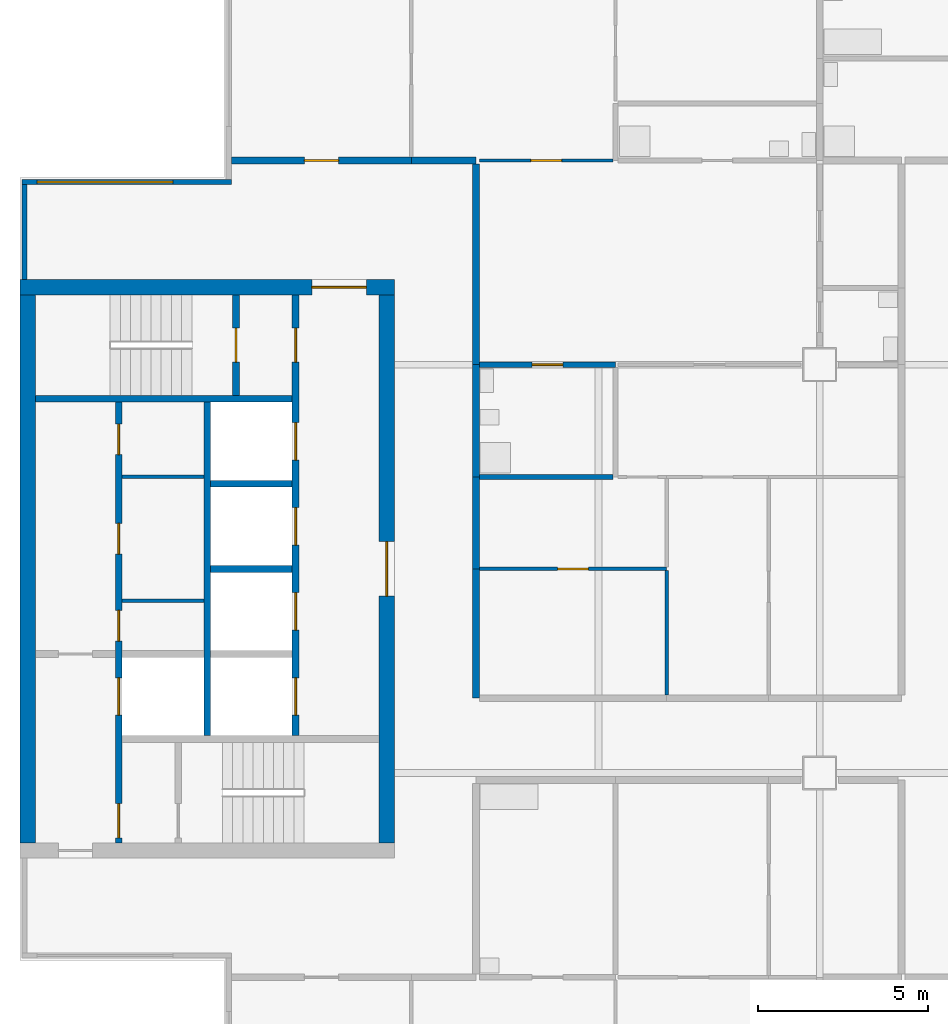
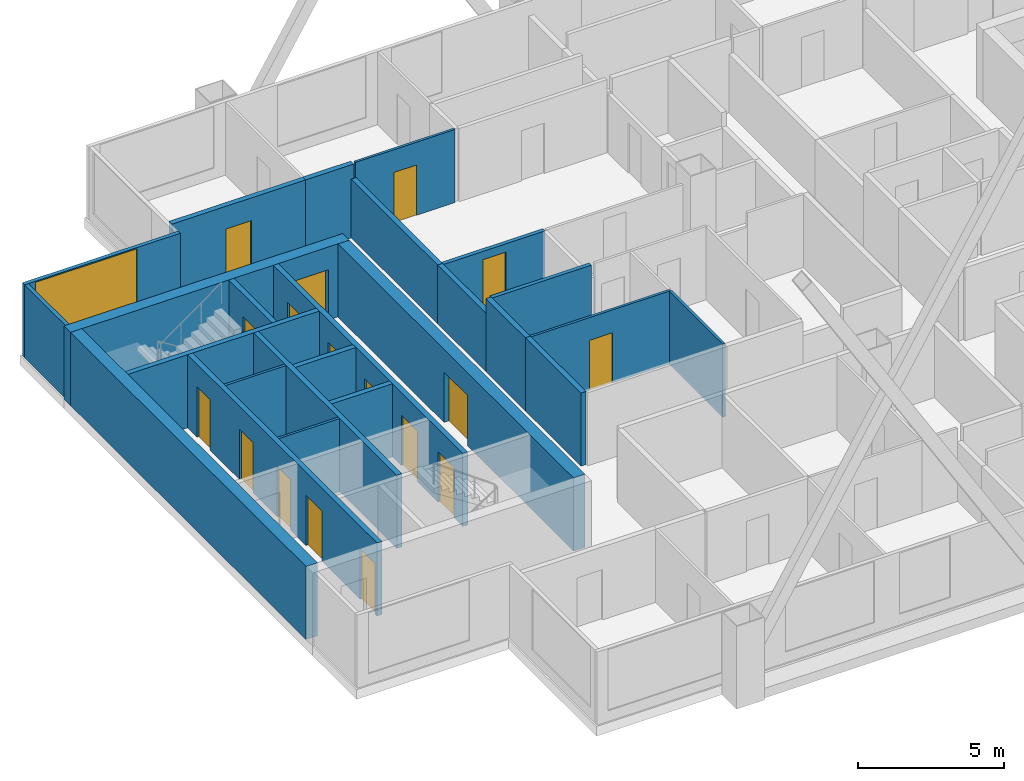
# One storey, part 3 of 9: 25 walls, 17 doors, 1 window, 18 openings.
"""IFC4 building model written with IfcOpenShell, lengths in metres."""

from ifc_helpers import new_model, si_unit, direction, frame, frame_2d, origin, place, context, subcontext, project, spatial, rectangle, extrude, material, layer, layer_set, type_object, element, fill, save


model = new_model("IFC4")

# Units and contexts
model_context = context("Model", 3, precision=1e-05, world=origin(), true_north=direction((0.0, 1.0)))
body_context = subcontext(model_context, "Body", "Model", "MODEL_VIEW")
ifc_project = project(units=[si_unit("LENGTHUNIT", "METRE"), si_unit("AREAUNIT", "SQUARE_METRE"), si_unit("VOLUMEUNIT", "CUBIC_METRE"), si_unit("PLANEANGLEUNIT", "RADIAN"), si_unit("MASSUNIT", "GRAM", prefix="KILO")], contexts=[model_context])

# Site, building, storey
site_placement = place(None, origin())
site = spatial("IfcSite", under=ifc_project, at=site_placement, CompositionType="ELEMENT")
building_placement = place(site_placement, origin())
building = spatial("IfcBuilding", under=site, at=building_placement, Name="Kitamizu Gate Tower and Museum", CompositionType="ELEMENT")
storey_placement = place(building_placement, frame((0.0, 0.0, 217.949951171875)))
storey = spatial("IfcBuildingStorey", under=building, at=storey_placement, Name="L58", CompositionType="ELEMENT", Elevation=217.949951171875)

# Wall, opening, door
ifc_material_1 = material(Name="Concrete Fc42", Category="concrete")
ifc_layer_1 = layer(ifc_material_1, 0.449951171875)
ifc_layer_set_1 = layer_set([ifc_layer_1], Name="Concrete Fc42")
wall_type_1 = type_object("IfcWallType", Name="Core wall 450", PredefinedType="SHEAR", material=ifc_layer_set_1)
wall_1_placement = place(storey_placement, frame((12.5, 38.27490234375, 0.0), z_axis=(0.0, 0.0, 1.0), x_axis=(1.0, 0.0, 0.0)))
wall_1 = element("IfcWall", 1, at=wall_1_placement, inside=storey, type_object=wall_type_1, Name="Core wall WN", PredefinedType="SHEAR", context=body_context, shape_type="SweptSolid", body=[
    extrude(rectangle(XDim=11.0, YDim=0.449951171875, at=frame_2d((5.5, 0.0))), origin(), (0.0, 0.0, 1.0), 3.050048828125),
])
opening_1_placement = place(wall_1_placement, frame((8.574951171875, 0.0, 0.0)))
opening_1 = element("IfcOpeningElement", 2, at=opening_1_placement, cuts=wall_1, Name="Opening L58-040", PredefinedType="OPENING", context=body_context, shape_type="SweptSolid", body=[
    extrude(rectangle(XDim=1.60009765625, YDim=2.10009765625, at=frame_2d((0.800048828125, 1.050048828125))), frame((0.0, 0.23486328125, 0.0), z_axis=(0.0, -1.0, 0.0), x_axis=(1.0, 0.0, 0.0)), (0.0, 0.0, 1.0), 0.469970703125),
])
ifc_material_2 = material(Name="Timber door set", Category="wood")
door_type_1 = type_object("IfcDoorType", Name="Entrance door 1600", OperationType="DOUBLE_DOOR_SINGLE_SWING", PredefinedType="DOOR", material=ifc_material_2)
door_1_placement = place(opening_1_placement, origin())
door_1 = element("IfcDoor", 3, at=door_1_placement, inside=storey, type_object=door_type_1, Name="Lobby door L58-040", OperationType="DOUBLE_DOOR_SINGLE_SWING", OverallHeight=2.10009765625, OverallWidth=1.60009765625, PredefinedType="DOOR", context=body_context, shape_type="SweptSolid", body=[
    extrude(rectangle(XDim=1.60009765625, YDim=2.10009765625, at=frame_2d((0.800048828125, 1.050048828125))), frame((0.0, 0.02490234375, 0.0), z_axis=(0.0, -1.0, 0.0), x_axis=(1.0, 0.0, 0.0)), (0.0, 0.0, 1.0), 0.050048828125),
])
fill(opening_1, door_1)

# Wall
wall_2_placement = place(storey_placement, frame((12.72509765625, 21.949951171875, 0.0), z_axis=(0.0, 0.0, 1.0), x_axis=(0.0, 1.0, 0.0)))
element("IfcWall", 4, at=wall_2_placement, inside=storey, type_object=wall_type_1, Name="Core wall WOUT", PredefinedType="SHEAR", context=body_context, shape_type="SweptSolid", body=[
    extrude(rectangle(XDim=16.10009765625, YDim=0.449951171875, at=frame_2d((8.050048828125, 0.0))), origin(), (0.0, 0.0, 1.0), 3.050048828125),
])

# Wall, opening, door
wall_3_placement = place(storey_placement, frame((23.27490234375, 21.949951171875, 0.0), z_axis=(0.0, 0.0, 1.0), x_axis=(0.0, 1.0, 0.0)))
wall_3 = element("IfcWall", 5, at=wall_3_placement, inside=storey, type_object=wall_type_1, Name="Core wall WARC", PredefinedType="SHEAR", context=body_context, shape_type="SweptSolid", body=[
    extrude(rectangle(XDim=16.10009765625, YDim=0.449951171875, at=frame_2d((8.050048828125, 0.0))), origin(), (0.0, 0.0, 1.0), 3.050048828125),
])
opening_2_placement = place(wall_3_placement, frame((7.25, 0.0, 0.0)))
opening_2 = element("IfcOpeningElement", 6, at=opening_2_placement, cuts=wall_3, Name="Opening L58-041", PredefinedType="OPENING", context=body_context, shape_type="SweptSolid", body=[
    extrude(rectangle(XDim=1.60009765625, YDim=2.10009765625, at=frame_2d((0.800048828125, 1.050048828125))), frame((0.0, 0.23486328125, 0.0), z_axis=(0.0, -1.0, 0.0), x_axis=(1.0, 0.0, 0.0)), (0.0, 0.0, 1.0), 0.469970703125),
])
door_2_placement = place(opening_2_placement, origin())
door_2 = element("IfcDoor", 7, at=door_2_placement, inside=storey, type_object=door_type_1, Name="Lobby door L58-041", OperationType="DOUBLE_DOOR_SINGLE_SWING", OverallHeight=2.10009765625, OverallWidth=1.60009765625, PredefinedType="DOOR", context=body_context, shape_type="SweptSolid", body=[
    extrude(rectangle(XDim=1.60009765625, YDim=2.10009765625, at=frame_2d((0.800048828125, 1.050048828125))), frame((0.0, 0.02490234375, 0.0), z_axis=(0.0, -1.0, 0.0), x_axis=(1.0, 0.0, 0.0)), (0.0, 0.0, 1.0), 0.050048828125),
])
fill(opening_2, door_2)

# Walls
ifc_material_3 = material(Name="Gypsum board on galvanised stud")
ifc_layer_2 = layer(ifc_material_3, 0.10009765625)
ifc_layer_set_2 = layer_set([ifc_layer_2], Name="Gypsum board on galvanised stud")
wall_type_2 = type_object("IfcWallType", Name="Partition 100", PredefinedType="PARTITIONING", material=ifc_layer_set_2)
for number, where, z_axis, x_axis, name in (
    (8, (15.5, 29.06005859375, 0.0), (0.0, 0.0, 1.0), (1.0, 0.0, 0.0), "Partition WPF1"),
    (9, (15.5, 32.7099609375, 0.0), (0.0, 0.0, 1.0), (1.0, 0.0, 0.0), "Partition WPF2"),
):
    element("IfcWall", number, at=place(storey_placement, frame(where, z_axis=z_axis, x_axis=x_axis)), inside=storey, type_object=wall_type_2, Name=name, PredefinedType="PARTITIONING", context=body_context, shape_type="SweptSolid", body=[
        extrude(rectangle(XDim=2.39990234375, YDim=0.10009765625, at=frame_2d((1.199951171875, 0.0))), origin(), (0.0, 0.0, 1.0), 3.050048828125),
    ])

# Wall, opening, door
ifc_material_4 = material(Name="Gypsum board on galvanised stud")
ifc_layer_3 = layer(ifc_material_4, 0.10009765625)
ifc_layer_set_3 = layer_set([ifc_layer_3], Name="Gypsum board on galvanised stud")
wall_type_3 = type_object("IfcWallType", Name="Partition 100 NOT RATED", PredefinedType="PARTITIONING", material=ifc_layer_set_3)
wall_4_placement = place(storey_placement, frame((26.0, 42.0, 0.0), z_axis=(0.0, 0.0, 1.0), x_axis=(1.0, 0.0, 0.0)))
wall_4 = element("IfcWall", 10, at=wall_4_placement, inside=storey, type_object=wall_type_3, Name="Partition L58-035", PredefinedType="PARTITIONING", context=body_context, shape_type="SweptSolid", body=[
    extrude(rectangle(XDim=3.925048828125, YDim=0.10009765625, at=frame_2d((1.96240234375, 0.0))), origin(), (0.0, 0.0, 1.0), 3.050048828125),
])
opening_3_placement = place(wall_4_placement, frame((1.512451171875, 0.0, 0.0)))
opening_3 = element("IfcOpeningElement", 11, at=opening_3_placement, cuts=wall_4, Name="Opening L58-014", PredefinedType="OPENING", context=body_context, shape_type="SweptSolid", body=[
    extrude(rectangle(XDim=0.89990234375, YDim=2.10009765625, at=frame_2d((0.449951171875, 1.050048828125))), frame((0.0, 0.06005859375, 0.0), z_axis=(0.0, -1.0, 0.0), x_axis=(1.0, 0.0, 0.0)), (0.0, 0.0, 1.0), 0.1201171875),
])
ifc_material_5 = material(Name="Timber door set", Category="wood")
door_type_2 = type_object("IfcDoorType", Name="Room door 900", OperationType="NOTDEFINED", PredefinedType="DOOR", material=ifc_material_5)
door_3_placement = place(opening_3_placement, origin())
door_3 = element("IfcDoor", 12, at=door_3_placement, inside=storey, type_object=door_type_2, Name="Door L58-014", OperationType="SINGLE_SWING_LEFT", OverallHeight=2.10009765625, OverallWidth=0.89990234375, PredefinedType="DOOR", context=body_context, shape_type="SweptSolid", body=[
    extrude(rectangle(XDim=0.89990234375, YDim=2.10009765625, at=frame_2d((0.449951171875, 1.050048828125))), frame((0.0, 0.02490234375, 0.0), z_axis=(0.0, -1.0, 0.0), x_axis=(1.0, 0.0, 0.0)), (0.0, 0.0, 1.0), 0.050048828125),
])
fill(opening_3, door_3)

wall_5_placement = place(storey_placement, frame((31.5, 30.0, 0.0), z_axis=(0.0, 0.0, 1.0), x_axis=(-1.0, 0.0, 0.0)))
wall_5 = element("IfcWall", 13, at=wall_5_placement, inside=storey, type_object=wall_type_3, Name="Partition L58-060", PredefinedType="PARTITIONING", context=body_context, shape_type="SweptSolid", body=[
    extrude(rectangle(XDim=5.5, YDim=0.10009765625, at=frame_2d((2.75, 0.0))), origin(), (0.0, 0.0, 1.0), 3.050048828125),
])
opening_4_placement = place(wall_5_placement, frame((2.300048828125, 0.0, 0.0)))
opening_4 = element("IfcOpeningElement", 14, at=opening_4_placement, cuts=wall_5, Name="Opening L58-024", PredefinedType="OPENING", context=body_context, shape_type="SweptSolid", body=[
    extrude(rectangle(XDim=0.89990234375, YDim=2.10009765625, at=frame_2d((0.449951171875, 1.050048828125))), frame((0.0, 0.06005859375, 0.0), z_axis=(0.0, -1.0, 0.0), x_axis=(1.0, 0.0, 0.0)), (0.0, 0.0, 1.0), 0.1201171875),
])
door_4_placement = place(opening_4_placement, frame((0.89990234375, 0.0, 0.0), x_axis=(-1.0, 0.0, 0.0)))
door_4 = element("IfcDoor", 15, at=door_4_placement, inside=storey, type_object=door_type_2, Name="Door L58-024", OperationType="SINGLE_SWING_LEFT", OverallHeight=2.10009765625, OverallWidth=0.89990234375, PredefinedType="DOOR", context=body_context, shape_type="SweptSolid", body=[
    extrude(rectangle(XDim=0.89990234375, YDim=2.10009765625, at=frame_2d((0.449951171875, 1.050048828125))), frame((0.0, 0.02490234375, 0.0), z_axis=(0.0, -1.0, 0.0), x_axis=(1.0, 0.0, 0.0)), (0.0, 0.0, 1.0), 0.050048828125),
])
fill(opening_4, door_4)

# Wall
wall_6_placement = place(storey_placement, frame((31.5, 26.300048828125, 0.0), z_axis=(0.0, 0.0, 1.0), x_axis=(0.0, 1.0, 0.0)))
element("IfcWall", 16, at=wall_6_placement, inside=storey, type_object=wall_type_3, Name="Partition L58-061", PredefinedType="PARTITIONING", context=body_context, shape_type="SweptSolid", body=[
    extrude(rectangle(XDim=3.64990234375, YDim=0.10009765625, at=frame_2d((1.824951171875, 0.0))), origin(), (0.0, 0.0, 1.0), 3.050048828125),
])

# Wall, opening, door
ifc_material_6 = material(Name="Gypsum board on galvanised stud")
ifc_layer_4 = layer(ifc_material_6, 0.14990234375)
ifc_layer_set_4 = layer_set([ifc_layer_4], Name="Gypsum board on galvanised stud")
wall_type_4 = type_object("IfcWallType", Name="Partition 150", PredefinedType="PARTITIONING", material=ifc_layer_set_4)
wall_7_placement = place(storey_placement, frame((26.0, 36.0, 0.0), z_axis=(0.0, 0.0, 1.0), x_axis=(1.0, 0.0, 0.0)))
wall_7 = element("IfcWall", 17, at=wall_7_placement, inside=storey, type_object=wall_type_4, Name="Partition L58-044", PredefinedType="PARTITIONING", context=body_context, shape_type="SweptSolid", body=[
    extrude(rectangle(XDim=4.0, YDim=0.14990234375, at=frame_2d((2.0, 0.0))), origin(), (0.0, 0.0, 1.0), 2.449951171875),
])
opening_5_placement = place(wall_7_placement, frame((1.550048828125, 0.0, 0.0)))
opening_5 = element("IfcOpeningElement", 18, at=opening_5_placement, cuts=wall_7, Name="Opening L58-016", PredefinedType="OPENING", context=body_context, shape_type="SweptSolid", body=[
    extrude(rectangle(XDim=0.89990234375, YDim=2.10009765625, at=frame_2d((0.449951171875, 1.050048828125))), frame((0.0, 0.0849609375, 0.0), z_axis=(0.0, -1.0, 0.0), x_axis=(1.0, 0.0, 0.0)), (0.0, 0.0, 1.0), 0.169921875),
])
ifc_material_7 = material(Name="Timber door set", Category="wood")
door_type_3 = type_object("IfcDoorType", Name="Bathroom door 900", OperationType="NOTDEFINED", PredefinedType="DOOR", material=ifc_material_7)
door_5_placement = place(opening_5_placement, frame((0.89990234375, 0.0, 0.0), x_axis=(-1.0, 0.0, 0.0)))
door_5 = element("IfcDoor", 19, at=door_5_placement, inside=storey, type_object=door_type_3, Name="Bathroom door L58-016", OperationType="SINGLE_SWING_RIGHT", OverallHeight=2.10009765625, OverallWidth=0.89990234375, PredefinedType="DOOR", context=body_context, shape_type="SweptSolid", body=[
    extrude(rectangle(XDim=0.89990234375, YDim=2.10009765625, at=frame_2d((0.449951171875, 1.050048828125))), frame((0.0, 0.02490234375, 0.0), z_axis=(0.0, -1.0, 0.0), x_axis=(1.0, 0.0, 0.0)), (0.0, 0.0, 1.0), 0.050048828125),
])
fill(opening_5, door_5)

# Wall
wall_8_placement = place(storey_placement, frame((26.0, 32.699951171875, 0.0), z_axis=(0.0, 0.0, 1.0), x_axis=(1.0, 0.0, 0.0)))
element("IfcWall", 20, at=wall_8_placement, inside=storey, type_object=wall_type_4, Name="Partition L58-053", PredefinedType="PARTITIONING", context=body_context, shape_type="SweptSolid", body=[
    extrude(rectangle(XDim=3.925048828125, YDim=0.14990234375, at=frame_2d((1.96240234375, 0.0))), origin(), (0.0, 0.0, 1.0), 3.050048828125),
])

# Wall, opening, door
ifc_material_8 = material(Name="Gypsum board on galvanised stud")
ifc_layer_5 = layer(ifc_material_8, 0.199951171875)
ifc_layer_set_5 = layer_set([ifc_layer_5], Name="Gypsum board on galvanised stud")
wall_type_5 = type_object("IfcWallType", Name="Partition 200", PredefinedType="PARTITIONING", material=ifc_layer_set_5)
wall_9_placement = place(storey_placement, frame((18.719970703125, 42.0, 0.0), z_axis=(0.0, 0.0, 1.0), x_axis=(1.0, 0.0, 0.0)))
wall_9 = element("IfcWall", 21, at=wall_9_placement, inside=storey, type_object=wall_type_5, Name="Partition L58-032", PredefinedType="PARTITIONING", context=body_context, shape_type="SweptSolid", body=[
    extrude(rectangle(XDim=5.280029296875, YDim=0.199951171875, at=frame_2d((2.64013671875, 0.0))), origin(), (0.0, 0.0, 1.0), 3.050048828125),
])
opening_6_placement = place(wall_9_placement, frame((2.139892578125, 0.0, 0.0)))
opening_6 = element("IfcOpeningElement", 22, at=opening_6_placement, cuts=wall_9, Name="Opening L58-012", PredefinedType="OPENING", context=body_context, shape_type="SweptSolid", body=[
    extrude(rectangle(XDim=1.0, YDim=2.10009765625, at=frame_2d((0.5, 1.050048828125))), frame((0.0, 0.10986328125, 0.0), z_axis=(0.0, -1.0, 0.0), x_axis=(1.0, 0.0, 0.0)), (0.0, 0.0, 1.0), 0.219970703125),
])
ifc_material_9 = material(Name="Timber door set", Category="wood")
door_type_4 = type_object("IfcDoorType", Name="Flat entrance door 1000", OperationType="NOTDEFINED", PredefinedType="DOOR", material=ifc_material_9)
door_6_placement = place(opening_6_placement, origin())
door_6 = element("IfcDoor", 23, at=door_6_placement, inside=storey, type_object=door_type_4, Name="Flat entrance door L58-012", OperationType="SINGLE_SWING_LEFT", OverallHeight=2.10009765625, OverallWidth=1.0, PredefinedType="DOOR", context=body_context, shape_type="SweptSolid", body=[
    extrude(rectangle(XDim=1.0, YDim=2.10009765625, at=frame_2d((0.5, 1.050048828125))), frame((0.0, 0.02490234375, 0.0), z_axis=(0.0, -1.0, 0.0), x_axis=(1.0, 0.0, 0.0)), (0.0, 0.0, 1.0), 0.050048828125),
])
fill(opening_6, door_6)

# Walls
wall_10_placement = place(storey_placement, frame((24.0, 42.0, 0.0), z_axis=(0.0, 0.0, 1.0), x_axis=(1.0, 0.0, 0.0)))
element("IfcWall", 24, at=wall_10_placement, inside=storey, type_object=wall_type_5, Name="Partition L58-036", PredefinedType="PARTITIONING", context=body_context, shape_type="SweptSolid", body=[
    extrude(rectangle(XDim=1.89990234375, YDim=0.199951171875, at=frame_2d((0.949951171875, 0.0))), origin(), (0.0, 0.0, 1.0), 3.050048828125),
])
wall_11_placement = place(storey_placement, frame((25.89990234375, 41.89990234375, 0.0), z_axis=(0.0, 0.0, 1.0), x_axis=(0.0, -1.0, 0.0)))
element("IfcWall", 25, at=wall_11_placement, inside=storey, type_object=wall_type_5, Name="Partition L58-046", PredefinedType="PARTITIONING", context=body_context, shape_type="SweptSolid", body=[
    extrude(rectangle(XDim=5.89990234375, YDim=0.199951171875, at=frame_2d((2.949951171875, 0.0))), origin(), (0.0, 0.0, 1.0), 2.449951171875),
])
wall_12_placement = place(storey_placement, frame((25.89990234375, 36.0, 0.0), z_axis=(0.0, 0.0, 1.0), x_axis=(0.0, -1.0, 0.0)))
element("IfcWall", 26, at=wall_12_placement, inside=storey, type_object=wall_type_5, Name="Partition L58-054", PredefinedType="PARTITIONING", context=body_context, shape_type="SweptSolid", body=[
    extrude(rectangle(XDim=3.300048828125, YDim=0.199951171875, at=frame_2d((1.64990234375, 0.0))), origin(), (0.0, 0.0, 1.0), 2.449951171875),
])
wall_13_placement = place(storey_placement, frame((25.89990234375, 30.0, 0.0), z_axis=(0.0, 0.0, 1.0), x_axis=(0.0, -1.0, 0.0)))
element("IfcWall", 27, at=wall_13_placement, inside=storey, type_object=wall_type_5, Name="Partition L58-062", PredefinedType="PARTITIONING", context=body_context, shape_type="SweptSolid", body=[
    extrude(rectangle(XDim=3.800048828125, YDim=0.199951171875, at=frame_2d((1.89990234375, 0.0))), origin(), (0.0, 0.0, 1.0), 3.050048828125),
])
wall_14_placement = place(storey_placement, frame((25.89990234375, 32.699951171875, 0.0), z_axis=(0.0, 0.0, 1.0), x_axis=(0.0, -1.0, 0.0)))
element("IfcWall", 28, at=wall_14_placement, inside=storey, type_object=wall_type_5, Name="Partition L58-065", PredefinedType="PARTITIONING", context=body_context, shape_type="SweptSolid", body=[
    extrude(rectangle(XDim=2.699951171875, YDim=0.199951171875, at=frame_2d((1.35009765625, 0.0))), origin(), (0.0, 0.0, 1.0), 3.050048828125),
])

# Wall, openings, doors
ifc_material_10 = material(Name="Concrete Fc42", Category="concrete")
ifc_layer_6 = layer(ifc_material_10, 0.199951171875)
ifc_layer_set_6 = layer_set([ifc_layer_6], Name="Concrete Fc42")
wall_type_6 = type_object("IfcWallType", Name="Shaft wall 200", PredefinedType="SOLIDWALL", material=ifc_layer_set_6)
wall_15_placement = place(storey_placement, frame((15.39990234375, 21.949951171875, 0.0), z_axis=(0.0, 0.0, 1.0), x_axis=(0.0, 1.0, 0.0)))
wall_15 = element("IfcWall", 29, at=wall_15_placement, inside=storey, type_object=wall_type_6, Name="Shaft wall WWEST", PredefinedType="SOLIDWALL", context=body_context, shape_type="SweptSolid", body=[
    extrude(rectangle(XDim=12.949951171875, YDim=0.199951171875, at=frame_2d((6.47509765625, 0.0))), origin(), (0.0, 0.0, 1.0), 3.050048828125),
])
opening_7_placement = place(wall_15_placement, frame((3.75, 0.0, 0.0)))
opening_7 = element("IfcOpeningElement", 30, at=opening_7_placement, cuts=wall_15, Name="Opening LD", PredefinedType="OPENING", context=body_context, shape_type="SweptSolid", body=[
    extrude(rectangle(XDim=1.10009765625, YDim=2.10009765625, at=frame_2d((0.550048828125, 1.050048828125))), frame((0.0, 0.10986328125, 0.0), z_axis=(0.0, -1.0, 0.0), x_axis=(1.0, 0.0, 0.0)), (0.0, 0.0, 1.0), 0.219970703125),
])
opening_8_placement = place(wall_15_placement, frame((0.14990234375, 0.0, 0.0)))
opening_8 = element("IfcOpeningElement", 31, at=opening_8_placement, cuts=wall_15, Name="Opening L58-035", PredefinedType="OPENING", context=body_context, shape_type="SweptSolid", body=[
    extrude(rectangle(XDim=1.0, YDim=2.10009765625, at=frame_2d((0.5, 1.050048828125))), frame((0.0, 0.10986328125, 0.0), z_axis=(0.0, -1.0, 0.0), x_axis=(1.0, 0.0, 0.0)), (0.0, 0.0, 1.0), 0.219970703125),
])
opening_9_placement = place(wall_15_placement, frame((5.929931640625, 0.0, 0.0)))
opening_9 = element("IfcOpeningElement", 32, at=opening_9_placement, cuts=wall_15, Name="Opening L58-042", PredefinedType="OPENING", context=body_context, shape_type="SweptSolid", body=[
    extrude(rectangle(XDim=0.89990234375, YDim=2.10009765625, at=frame_2d((0.449951171875, 1.050048828125))), frame((0.0, 0.10986328125, 0.0), z_axis=(0.0, -1.0, 0.0), x_axis=(1.0, 0.0, 0.0)), (0.0, 0.0, 1.0), 0.219970703125),
])
opening_10_placement = place(wall_15_placement, frame((8.485107421875, 0.0, 0.0)))
opening_10 = element("IfcOpeningElement", 33, at=opening_10_placement, cuts=wall_15, Name="Opening L58-043", PredefinedType="OPENING", context=body_context, shape_type="SweptSolid", body=[
    extrude(rectangle(XDim=0.89990234375, YDim=2.10009765625, at=frame_2d((0.449951171875, 1.050048828125))), frame((0.0, 0.10986328125, 0.0), z_axis=(0.0, -1.0, 0.0), x_axis=(1.0, 0.0, 0.0)), (0.0, 0.0, 1.0), 0.219970703125),
])
opening_11_placement = place(wall_15_placement, frame((11.405029296875, 0.0, 0.0)))
opening_11 = element("IfcOpeningElement", 34, at=opening_11_placement, cuts=wall_15, Name="Opening L58-044", PredefinedType="OPENING", context=body_context, shape_type="SweptSolid", body=[
    extrude(rectangle(XDim=0.89990234375, YDim=2.10009765625, at=frame_2d((0.449951171875, 1.050048828125))), frame((0.0, 0.10986328125, 0.0), z_axis=(0.0, -1.0, 0.0), x_axis=(1.0, 0.0, 0.0)), (0.0, 0.0, 1.0), 0.219970703125),
])
ifc_material_11 = material(Name="Hollow metal door set")
door_type_5 = type_object("IfcDoorType", Name="Fire door 1000", OperationType="NOTDEFINED", PredefinedType="DOOR", material=ifc_material_11)
door_7_placement = place(opening_8_placement, frame((1.0, 0.0, 0.0), x_axis=(-1.0, 0.0, 0.0)))
door_7 = element("IfcDoor", 35, at=door_7_placement, inside=storey, type_object=door_type_5, Name="Stair lobby door L58-035", OperationType="SINGLE_SWING_LEFT", OverallHeight=2.10009765625, OverallWidth=1.0, PredefinedType="DOOR", context=body_context, shape_type="SweptSolid", body=[
    extrude(rectangle(XDim=1.0, YDim=2.10009765625, at=frame_2d((0.5, 1.050048828125))), frame((0.0, 0.02490234375, 0.0), z_axis=(0.0, -1.0, 0.0), x_axis=(1.0, 0.0, 0.0)), (0.0, 0.0, 1.0), 0.050048828125),
])
fill(opening_8, door_7)
ifc_material_12 = material(Name="Hollow metal door set")
door_type_6 = type_object("IfcDoorType", Name="Landing door 1100", OperationType="SLIDING_TO_LEFT", PredefinedType="DOOR", material=ifc_material_12)
door_8_placement = place(opening_7_placement, origin())
door_8 = element("IfcDoor", 36, at=door_8_placement, inside=storey, type_object=door_type_6, Name="Landing door WFF1", OperationType="SLIDING_TO_LEFT", OverallHeight=2.10009765625, OverallWidth=1.10009765625, PredefinedType="DOOR", context=body_context, shape_type="SweptSolid", body=[
    extrude(rectangle(XDim=1.10009765625, YDim=2.10009765625, at=frame_2d((0.550048828125, 1.050048828125))), frame((0.0, 0.02490234375, 0.0), z_axis=(0.0, -1.0, 0.0), x_axis=(1.0, 0.0, 0.0)), (0.0, 0.0, 1.0), 0.050048828125),
])
fill(opening_7, door_8)
ifc_material_13 = material(Name="Timber door set", Category="wood")
door_type_7 = type_object("IfcDoorType", Name="Service door 900", OperationType="NOTDEFINED", PredefinedType="DOOR", material=ifc_material_13)
door_9_placement = place(opening_9_placement, frame((0.89990234375, 0.0, 0.0), x_axis=(-1.0, 0.0, 0.0)))
door_9 = element("IfcDoor", 37, at=door_9_placement, inside=storey, type_object=door_type_7, Name="Service door L58-042", OperationType="SINGLE_SWING_LEFT", OverallHeight=2.10009765625, OverallWidth=0.89990234375, PredefinedType="DOOR", context=body_context, shape_type="SweptSolid", body=[
    extrude(rectangle(XDim=0.89990234375, YDim=2.10009765625, at=frame_2d((0.449951171875, 1.050048828125))), frame((0.0, 0.02490234375, 0.0), z_axis=(0.0, -1.0, 0.0), x_axis=(1.0, 0.0, 0.0)), (0.0, 0.0, 1.0), 0.050048828125),
])
fill(opening_9, door_9)
door_10_placement = place(opening_10_placement, frame((0.89990234375, 0.0, 0.0), x_axis=(-1.0, 0.0, 0.0)))
door_10 = element("IfcDoor", 38, at=door_10_placement, inside=storey, type_object=door_type_7, Name="Service door L58-043", OperationType="SINGLE_SWING_RIGHT", OverallHeight=2.10009765625, OverallWidth=0.89990234375, PredefinedType="DOOR", context=body_context, shape_type="SweptSolid", body=[
    extrude(rectangle(XDim=0.89990234375, YDim=2.10009765625, at=frame_2d((0.449951171875, 1.050048828125))), frame((0.0, 0.02490234375, 0.0), z_axis=(0.0, -1.0, 0.0), x_axis=(1.0, 0.0, 0.0)), (0.0, 0.0, 1.0), 0.050048828125),
])
fill(opening_10, door_10)
door_11_placement = place(opening_11_placement, frame((0.89990234375, 0.0, 0.0), x_axis=(-1.0, 0.0, 0.0)))
door_11 = element("IfcDoor", 39, at=door_11_placement, inside=storey, type_object=door_type_7, Name="Service door L58-044", OperationType="SINGLE_SWING_LEFT", OverallHeight=2.10009765625, OverallWidth=0.89990234375, PredefinedType="DOOR", context=body_context, shape_type="SweptSolid", body=[
    extrude(rectangle(XDim=0.89990234375, YDim=2.10009765625, at=frame_2d((0.449951171875, 1.050048828125))), frame((0.0, 0.02490234375, 0.0), z_axis=(0.0, -1.0, 0.0), x_axis=(1.0, 0.0, 0.0)), (0.0, 0.0, 1.0), 0.050048828125),
])
fill(opening_11, door_11)

wall_16_placement = place(storey_placement, frame((20.60009765625, 25.10009765625, 0.0), z_axis=(0.0, 0.0, 1.0), x_axis=(0.0, 1.0, 0.0)))
wall_16 = element("IfcWall", 40, at=wall_16_placement, inside=storey, type_object=wall_type_6, Name="Shaft wall WEAST", PredefinedType="SOLIDWALL", context=body_context, shape_type="SweptSolid", body=[
    extrude(rectangle(XDim=12.949951171875, YDim=0.199951171875, at=frame_2d((6.47509765625, 0.0))), origin(), (0.0, 0.0, 1.0), 3.050048828125),
])
opening_12_placement = place(wall_16_placement, frame((0.60009765625, 0.0, 0.0)))
opening_12 = element("IfcOpeningElement", 41, at=opening_12_placement, cuts=wall_16, Name="Opening LD", PredefinedType="OPENING", context=body_context, shape_type="SweptSolid", body=[
    extrude(rectangle(XDim=1.10009765625, YDim=2.10009765625, at=frame_2d((0.550048828125, 1.050048828125))), frame((0.0, 0.10986328125, 0.0), z_axis=(0.0, -1.0, 0.0), x_axis=(1.0, 0.0, 0.0)), (0.0, 0.0, 1.0), 0.219970703125),
])
opening_13_placement = place(wall_16_placement, frame((3.10009765625, 0.0, 0.0)))
opening_13 = element("IfcOpeningElement", 42, at=opening_13_placement, cuts=wall_16, Name="Opening LD", PredefinedType="OPENING", context=body_context, shape_type="SweptSolid", body=[
    extrude(rectangle(XDim=1.10009765625, YDim=2.10009765625, at=frame_2d((0.550048828125, 1.050048828125))), frame((0.0, 0.10986328125, 0.0), z_axis=(0.0, -1.0, 0.0), x_axis=(1.0, 0.0, 0.0)), (0.0, 0.0, 1.0), 0.219970703125),
])
opening_14_placement = place(wall_16_placement, frame((5.60009765625, 0.0, 0.0)))
opening_14 = element("IfcOpeningElement", 43, at=opening_14_placement, cuts=wall_16, Name="Opening LD", PredefinedType="OPENING", context=body_context, shape_type="SweptSolid", body=[
    extrude(rectangle(XDim=1.10009765625, YDim=2.10009765625, at=frame_2d((0.550048828125, 1.050048828125))), frame((0.0, 0.10986328125, 0.0), z_axis=(0.0, -1.0, 0.0), x_axis=(1.0, 0.0, 0.0)), (0.0, 0.0, 1.0), 0.219970703125),
])
opening_15_placement = place(wall_16_placement, frame((8.10009765625, 0.0, 0.0)))
opening_15 = element("IfcOpeningElement", 44, at=opening_15_placement, cuts=wall_16, Name="Opening LD", PredefinedType="OPENING", context=body_context, shape_type="SweptSolid", body=[
    extrude(rectangle(XDim=1.10009765625, YDim=2.10009765625, at=frame_2d((0.550048828125, 1.050048828125))), frame((0.0, 0.10986328125, 0.0), z_axis=(0.0, -1.0, 0.0), x_axis=(1.0, 0.0, 0.0)), (0.0, 0.0, 1.0), 0.219970703125),
])
opening_16_placement = place(wall_16_placement, frame((10.97509765625, 0.0, 0.0)))
opening_16 = element("IfcOpeningElement", 45, at=opening_16_placement, cuts=wall_16, Name="Opening L58-036", PredefinedType="OPENING", context=body_context, shape_type="SweptSolid", body=[
    extrude(rectangle(XDim=1.0, YDim=2.10009765625, at=frame_2d((0.5, 1.050048828125))), frame((0.0, 0.10986328125, 0.0), z_axis=(0.0, -1.0, 0.0), x_axis=(1.0, 0.0, 0.0)), (0.0, 0.0, 1.0), 0.219970703125),
])
door_12_placement = place(opening_16_placement, origin())
door_12 = element("IfcDoor", 46, at=door_12_placement, inside=storey, type_object=door_type_5, Name="Stair lobby door L58-036", OperationType="SINGLE_SWING_RIGHT", OverallHeight=2.10009765625, OverallWidth=1.0, PredefinedType="DOOR", context=body_context, shape_type="SweptSolid", body=[
    extrude(rectangle(XDim=1.0, YDim=2.10009765625, at=frame_2d((0.5, 1.050048828125))), frame((0.0, 0.02490234375, 0.0), z_axis=(0.0, -1.0, 0.0), x_axis=(1.0, 0.0, 0.0)), (0.0, 0.0, 1.0), 0.050048828125),
])
fill(opening_16, door_12)
door_13_placement = place(opening_12_placement, origin())
door_13 = element("IfcDoor", 47, at=door_13_placement, inside=storey, type_object=door_type_6, Name="Landing door WSV1", OperationType="SLIDING_TO_LEFT", OverallHeight=2.10009765625, OverallWidth=1.10009765625, PredefinedType="DOOR", context=body_context, shape_type="SweptSolid", body=[
    extrude(rectangle(XDim=1.10009765625, YDim=2.10009765625, at=frame_2d((0.550048828125, 1.050048828125))), frame((0.0, 0.02490234375, 0.0), z_axis=(0.0, -1.0, 0.0), x_axis=(1.0, 0.0, 0.0)), (0.0, 0.0, 1.0), 0.050048828125),
])
fill(opening_12, door_13)
door_14_placement = place(opening_13_placement, origin())
door_14 = element("IfcDoor", 48, at=door_14_placement, inside=storey, type_object=door_type_6, Name="Landing door WH1", OperationType="SLIDING_TO_LEFT", OverallHeight=2.10009765625, OverallWidth=1.10009765625, PredefinedType="DOOR", context=body_context, shape_type="SweptSolid", body=[
    extrude(rectangle(XDim=1.10009765625, YDim=2.10009765625, at=frame_2d((0.550048828125, 1.050048828125))), frame((0.0, 0.02490234375, 0.0), z_axis=(0.0, -1.0, 0.0), x_axis=(1.0, 0.0, 0.0)), (0.0, 0.0, 1.0), 0.050048828125),
])
fill(opening_13, door_14)
door_15_placement = place(opening_14_placement, origin())
door_15 = element("IfcDoor", 49, at=door_15_placement, inside=storey, type_object=door_type_6, Name="Landing door WH2", OperationType="SLIDING_TO_LEFT", OverallHeight=2.10009765625, OverallWidth=1.10009765625, PredefinedType="DOOR", context=body_context, shape_type="SweptSolid", body=[
    extrude(rectangle(XDim=1.10009765625, YDim=2.10009765625, at=frame_2d((0.550048828125, 1.050048828125))), frame((0.0, 0.02490234375, 0.0), z_axis=(0.0, -1.0, 0.0), x_axis=(1.0, 0.0, 0.0)), (0.0, 0.0, 1.0), 0.050048828125),
])
fill(opening_14, door_15)
door_16_placement = place(opening_15_placement, origin())
door_16 = element("IfcDoor", 50, at=door_16_placement, inside=storey, type_object=door_type_6, Name="Landing door WH3", OperationType="SLIDING_TO_LEFT", OverallHeight=2.10009765625, OverallWidth=1.10009765625, PredefinedType="DOOR", context=body_context, shape_type="SweptSolid", body=[
    extrude(rectangle(XDim=1.10009765625, YDim=2.10009765625, at=frame_2d((0.550048828125, 1.050048828125))), frame((0.0, 0.02490234375, 0.0), z_axis=(0.0, -1.0, 0.0), x_axis=(1.0, 0.0, 0.0)), (0.0, 0.0, 1.0), 0.050048828125),
])
fill(opening_15, door_16)

# Walls
wall_17_placement = place(storey_placement, frame((18.0, 25.10009765625, 0.0), z_axis=(0.0, 0.0, 1.0), x_axis=(0.0, 1.0, 0.0)))
element("IfcWall", 51, at=wall_17_placement, inside=storey, type_object=wall_type_6, Name="Shaft wall WMID", PredefinedType="SOLIDWALL", context=body_context, shape_type="SweptSolid", body=[
    extrude(rectangle(XDim=9.7998046875, YDim=0.199951171875, at=frame_2d((4.89990234375, 0.0))), origin(), (0.0, 0.0, 1.0), 3.050048828125),
])
wall_18_placement = place(storey_placement, frame((12.949951171875, 35.0, 0.0), z_axis=(0.0, 0.0, 1.0), x_axis=(1.0, 0.0, 0.0)))
element("IfcWall", 52, at=wall_18_placement, inside=storey, type_object=wall_type_6, Name="Shaft wall WNB", PredefinedType="SOLIDWALL", context=body_context, shape_type="SweptSolid", body=[
    extrude(rectangle(XDim=7.550048828125, YDim=0.199951171875, at=frame_2d((3.77490234375, 0.0))), origin(), (0.0, 0.0, 1.0), 3.050048828125),
])

# Wall, opening, door
wall_19_placement = place(storey_placement, frame((18.85009765625, 35.10009765625, 0.0), z_axis=(0.0, 0.0, 1.0), x_axis=(0.0, 1.0, 0.0)))
wall_19 = element("IfcWall", 53, at=wall_19_placement, inside=storey, type_object=wall_type_6, Name="Shaft wall WNZ", PredefinedType="SOLIDWALL", context=body_context, shape_type="SweptSolid", body=[
    extrude(rectangle(XDim=2.949951171875, YDim=0.199951171875, at=frame_2d((1.47509765625, 0.0))), origin(), (0.0, 0.0, 1.0), 3.050048828125),
])
opening_17_placement = place(wall_19_placement, frame((0.97509765625, 0.0, 0.0)))
opening_17 = element("IfcOpeningElement", 54, at=opening_17_placement, cuts=wall_19, Name="Opening L58-037", PredefinedType="OPENING", context=body_context, shape_type="SweptSolid", body=[
    extrude(rectangle(XDim=1.0, YDim=2.10009765625, at=frame_2d((0.5, 1.050048828125))), frame((0.0, 0.10986328125, 0.0), z_axis=(0.0, -1.0, 0.0), x_axis=(1.0, 0.0, 0.0)), (0.0, 0.0, 1.0), 0.219970703125),
])
door_17_placement = place(opening_17_placement, origin())
door_17 = element("IfcDoor", 55, at=door_17_placement, inside=storey, type_object=door_type_5, Name="Stair door L58-037", OperationType="SINGLE_SWING_LEFT", OverallHeight=2.10009765625, OverallWidth=1.0, PredefinedType="DOOR", context=body_context, shape_type="SweptSolid", body=[
    extrude(rectangle(XDim=1.0, YDim=2.10009765625, at=frame_2d((0.5, 1.050048828125))), frame((0.0, 0.02490234375, 0.0), z_axis=(0.0, -1.0, 0.0), x_axis=(1.0, 0.0, 0.0)), (0.0, 0.0, 1.0), 0.050048828125),
])
fill(opening_17, door_17)

# Walls
for number, where, z_axis, x_axis, name in (
    (56, (18.10009765625, 30.0, 0.0), (0.0, 0.0, 1.0), (1.0, 0.0, 0.0), "Shaft wall WDVE1"),
    (57, (18.10009765625, 32.5, 0.0), (0.0, 0.0, 1.0), (1.0, 0.0, 0.0), "Shaft wall WDVE2"),
):
    element("IfcWall", number, at=place(storey_placement, frame(where, z_axis=z_axis, x_axis=x_axis)), inside=storey, type_object=wall_type_6, Name=name, PredefinedType="SOLIDWALL", context=body_context, shape_type="SweptSolid", body=[
        extrude(rectangle(XDim=2.39990234375, YDim=0.199951171875, at=frame_2d((1.199951171875, 0.0))), origin(), (0.0, 0.0, 1.0), 3.050048828125),
    ])

# Wall, opening, window
ifc_material_14 = material(Name="Bronze anodised aluminium frame with insulated spandrel and tinted glass", Category="aluminium")
ifc_layer_7 = layer(ifc_material_14, 0.14990234375)
ifc_layer_set_7 = layer_set([ifc_layer_7], Name="Bronze anodised aluminium frame with insulated spandrel and tinted glass")
wall_type_7 = type_object("IfcWallType", Name="WINDOW WALL 150 BRONZE FRAME EI 30", PredefinedType="ELEMENTEDWALL", material=ifc_layer_set_7)
wall_20_placement = place(storey_placement, frame((12.56005859375, 41.364990234375, 0.0), z_axis=(0.0, 0.0, 1.0), x_axis=(1.0, 0.0, 0.0)))
wall_20 = element("IfcWall", 58, at=wall_20_placement, inside=storey, type_object=wall_type_7, Name="Window wall north L58", PredefinedType="ELEMENTEDWALL", context=body_context, shape_type="SweptSolid", body=[
    extrude(rectangle(XDim=6.14990234375, YDim=0.14990234375, at=frame_2d((3.074951171875, 0.0))), origin(), (0.0, 0.0, 1.0), 3.050048828125),
])
opening_18_placement = place(wall_20_placement, frame((0.43994140625, 0.0, 0.449951171875)))
opening_18 = element("IfcOpeningElement", 59, at=opening_18_placement, cuts=wall_20, Name="Opening W16", PredefinedType="OPENING", context=body_context, shape_type="SweptSolid", body=[
    extrude(rectangle(XDim=4.0, YDim=2.550048828125, at=frame_2d((2.0, 1.27490234375))), frame((0.0, 0.0849609375, 0.0), z_axis=(0.0, -1.0, 0.0), x_axis=(1.0, 0.0, 0.0)), (0.0, 0.0, 1.0), 0.169921875),
])
ifc_material_15 = material(Name="Bronze anodised aluminium frame, tinted triple glazing", Category="aluminium")
window_type = type_object("IfcWindowType", Name="WINDOW 4000 x 2550 SILL 450", PartitioningType="SINGLE_PANEL", PredefinedType="WINDOW", material=ifc_material_15)
window_placement = place(opening_18_placement, origin())
window = element("IfcWindow", 60, at=window_placement, inside=storey, type_object=window_type, Name="Window W16 L58", OverallHeight=2.550048828125, OverallWidth=4.0, PartitioningType="SINGLE_PANEL", PredefinedType="WINDOW", context=body_context, shape_type="SweptSolid", body=[
    extrude(rectangle(XDim=4.0, YDim=2.550048828125, at=frame_2d((2.0, 1.27490234375))), frame((0.0, 0.030029296875, 0.0), z_axis=(0.0, -1.0, 0.0), x_axis=(1.0, 0.0, 0.0)), (0.0, 0.0, 1.0), 0.06005859375),
])
fill(opening_18, window)

# Wall
wall_21_placement = place(storey_placement, frame((12.635009765625, 38.5, 0.0), z_axis=(0.0, 0.0, 1.0), x_axis=(0.0, 1.0, 0.0)))
element("IfcWall", 61, at=wall_21_placement, inside=storey, type_object=wall_type_7, Name="Window wall west L58", PredefinedType="ELEMENTEDWALL", context=body_context, shape_type="SweptSolid", body=[
    extrude(rectangle(XDim=2.7900390625, YDim=0.14990234375, at=frame_2d((1.39501953125, 0.0))), origin(), (0.0, 0.0, 1.0), 3.050048828125),
])

save(model, "model.ifc")
